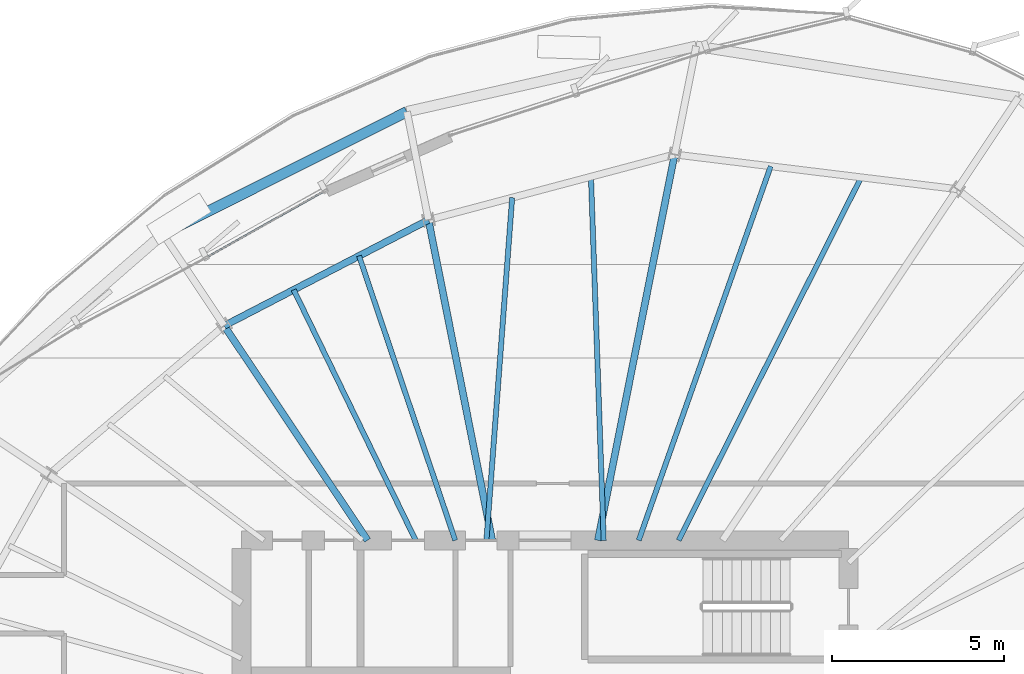
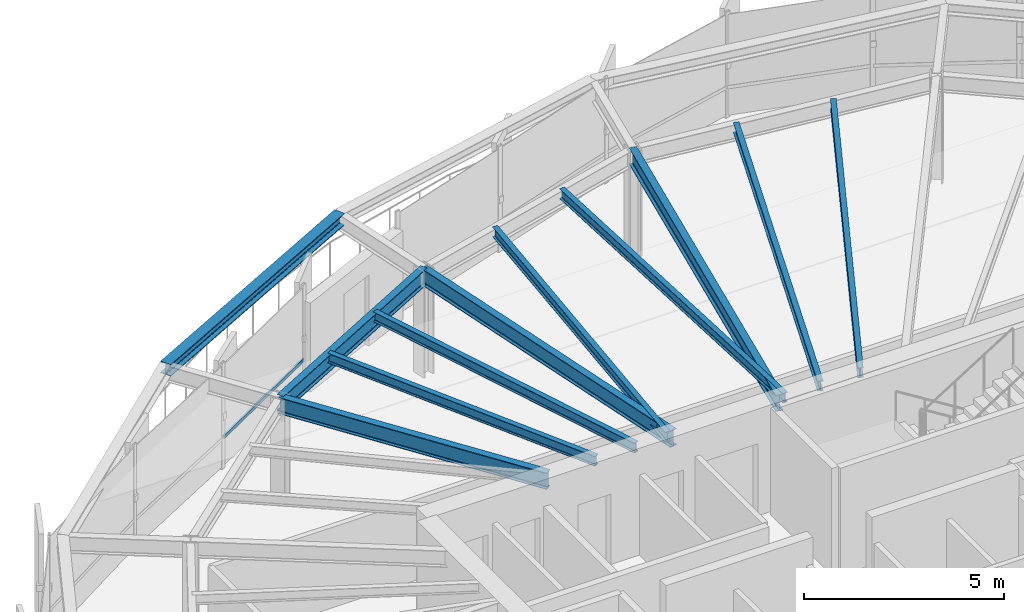
# One storey, part 20 of 33: 11 beams, 1 member, 1 element without a shape of its own.
"""IFC4 building model written with IfcOpenShell, lengths in metres."""

from ifc_helpers import new_model, si_unit, direction, frame, origin, origin_2d, place, context, subcontext, project, spatial, hollow_rectangle, i_section, extrude, source, transform, mapped, material, layer, layer_set, material_profile, profile_set, type_object, element, aggregate, save


model = new_model("IFC4")

# Units and contexts
model_context = context("Model", 3, precision=1e-05, world=origin(), true_north=direction((0.0, 1.0)))
body_context = subcontext(model_context, "Body", "Model", "MODEL_VIEW")
ifc_project = project(units=[si_unit("LENGTHUNIT", "METRE"), si_unit("AREAUNIT", "SQUARE_METRE"), si_unit("VOLUMEUNIT", "CUBIC_METRE"), si_unit("PLANEANGLEUNIT", "RADIAN"), si_unit("MASSUNIT", "GRAM", prefix="KILO"), si_unit("THERMODYNAMICTEMPERATUREUNIT", "KELVIN")], contexts=[model_context])

# Site, building, storey
site_placement = place(None, origin())
site = spatial("IfcSite", under=ifc_project, at=site_placement, CompositionType="ELEMENT")
building_placement = place(site_placement, origin())
building = spatial("IfcBuilding", under=site, at=building_placement, Name="Kethvar Cultural Tower", CompositionType="ELEMENT")
storey_placement = place(building_placement, frame((0.0, 0.0, 211.39990234375)))
storey = spatial("IfcBuildingStorey", under=building, at=storey_placement, Name="L55", CompositionType="ELEMENT", Elevation=211.39990234375)

# Beams
ifc_material_1 = material(Name="Steel S355J2", Category="steel")
ifc_material_profile_1 = material_profile(ifc_material_1, i_section(OverallWidth=0.199951171875, OverallDepth=0.5, WebThickness=0.01025390625, FlangeThickness=0.01611328125, FilletRadius=0.02099609375, at=origin_2d()), Name="Steel S355J2 — IPE500")
ifc_profile_set_1 = profile_set([ifc_material_profile_1], Name="Steel S355J2 — IPE500")
beam_type_1 = type_object("IfcBeamType", Name="BM-IPE500", PredefinedType="BEAM", material=ifc_profile_set_1)
shared_shape_1 = source(origin(), body_context, "Body", "SweptSolid", [
    extrude(i_section(OverallWidth=0.199951171875, OverallDepth=0.5, WebThickness=0.01025390625, FlangeThickness=0.01611328125, FilletRadius=0.02099609375, at=origin_2d()), origin(), (0.0, 0.0, 1.0), 11.40673828125),
])
beam_1_placement = place(storey_placement, frame((48.33154296875, 35.5, 3.008056640625), z_axis=(0.195091138918, 0.980785117911, 0.0), x_axis=(-0.980785117911, 0.195091138918, 0.0)))
element("IfcBeam", 1, at=beam_1_placement, inside=storey, type_object=beam_type_1, Name="L55 Primary Radial Beam RB-04", PredefinedType="BEAM", context=body_context, shape_type="MappedRepresentation", body=[
    mapped(shared_shape_1, transform((0.0, 0.0, 0.0), scale=1.0)),
])
shared_shape_2 = source(origin(), body_context, "Body", "SweptSolid", [
    extrude(i_section(OverallWidth=0.199951171875, OverallDepth=0.5, WebThickness=0.01025390625, FlangeThickness=0.01611328125, FilletRadius=0.02099609375, at=origin_2d()), origin(), (0.0, 0.0, 1.0), 9.47119140625),
])
beam_2_placement = place(storey_placement, frame((45.268310546875, 35.5, 3.008056640625), z_axis=(-0.195079990396, 0.980787335434, 0.0), x_axis=(-0.980787335434, -0.195079990396, 0.0)))
element("IfcBeam", 2, at=beam_2_placement, inside=storey, type_object=beam_type_1, Name="L55 Primary Radial Beam RB-05", PredefinedType="BEAM", context=body_context, shape_type="MappedRepresentation", body=[
    mapped(shared_shape_2, transform((0.0, 0.0, 0.0), scale=1.0)),
])
shared_shape_3 = source(origin(), body_context, "Body", "SweptSolid", [
    extrude(i_section(OverallWidth=0.199951171875, OverallDepth=0.5, WebThickness=0.01025390625, FlangeThickness=0.01611328125, FilletRadius=0.02099609375, at=origin_2d()), origin(), (0.0, 0.0, 1.0), 7.481201171875),
])
beam_3_placement = place(storey_placement, frame((41.655029296875, 35.5, 3.008056640625), z_axis=(-0.55555842186, 0.831477504146, 0.0), x_axis=(-0.831477504146, -0.55555842186, 0.0)))
element("IfcBeam", 3, at=beam_3_placement, inside=storey, type_object=beam_type_1, Name="L55 Primary Radial Beam RB-06", PredefinedType="BEAM", context=body_context, shape_type="MappedRepresentation", body=[
    mapped(shared_shape_3, transform((0.0, 0.0, 0.0), scale=1.0)),
])
ifc_material_profile_2 = material_profile(ifc_material_1, i_section(OverallWidth=0.14990234375, OverallDepth=0.300048828125, WebThickness=0.007080078125, FlangeThickness=0.0107421875, FilletRadius=0.014892578125, at=origin_2d()), Name="Steel S355J2 — IPE300")
ifc_profile_set_2 = profile_set([ifc_material_profile_2], Name="Steel S355J2 — IPE300")
beam_type_2 = type_object("IfcBeamType", Name="BM-J300", PredefinedType="JOIST", material=ifc_profile_set_2)
shared_shape_4 = source(origin(), body_context, "Body", "SweptSolid", [
    extrude(i_section(OverallWidth=0.14990234375, OverallDepth=0.300048828125, WebThickness=0.007080078125, FlangeThickness=0.0107421875, FilletRadius=0.014892578125, at=origin_2d()), origin(), (0.0, 0.0, 1.0), 11.77880859375),
])
beam_4_placement = place(storey_placement, frame((50.671630859375, 35.5, 3.108154296875), z_axis=(0.449218855458, 0.893421748057, 0.0), x_axis=(-0.893421748057, 0.449218855458, 0.0)))
element("IfcBeam", 4, at=beam_4_placement, inside=storey, type_object=beam_type_2, Name="L55 Composite Floor Joist J-03A", PredefinedType="JOIST", context=body_context, shape_type="MappedRepresentation", body=[
    mapped(shared_shape_4, transform((0.0, 0.0, 0.0), scale=1.0)),
])
shared_shape_5 = source(origin(), body_context, "Body", "SweptSolid", [
    extrude(i_section(OverallWidth=0.14990234375, OverallDepth=0.300048828125, WebThickness=0.007080078125, FlangeThickness=0.0107421875, FilletRadius=0.014892578125, at=origin_2d()), origin(), (0.0, 0.0, 1.0), 11.50048828125),
])
beam_5_placement = place(storey_placement, frame((49.51611328125, 35.5, 3.108154296875), z_axis=(0.332655768875, 0.943048322958, 0.0), x_axis=(-0.943048322958, 0.332655768875, 0.0)))
element("IfcBeam", 5, at=beam_5_placement, inside=storey, type_object=beam_type_2, Name="L55 Composite Floor Joist J-03B", PredefinedType="JOIST", context=body_context, shape_type="MappedRepresentation", body=[
    mapped(shared_shape_5, transform((0.0, 0.0, 0.0), scale=1.0)),
])
shared_shape_6 = source(origin(), body_context, "Body", "SweptSolid", [
    extrude(i_section(OverallWidth=0.14990234375, OverallDepth=0.300048828125, WebThickness=0.007080078125, FlangeThickness=0.0107421875, FilletRadius=0.014892578125, at=origin_2d()), origin(), (0.0, 0.0, 1.0), 10.54833984375),
])
beam_6_placement = place(storey_placement, frame((48.5, 35.5, 3.108154296875), z_axis=(-0.035017879941, 0.999386685965, 0.0), x_axis=(-0.999386685965, -0.035017879941, 0.0)))
element("IfcBeam", 6, at=beam_6_placement, inside=storey, type_object=beam_type_2, Name="L55 Composite Floor Joist J-04A", PredefinedType="JOIST", context=body_context, shape_type="MappedRepresentation", body=[
    mapped(shared_shape_6, transform((0.0, 0.0, 0.0), scale=1.0)),
])
shared_shape_7 = source(origin(), body_context, "Body", "SweptSolid", [
    extrude(i_section(OverallWidth=0.14990234375, OverallDepth=0.300048828125, WebThickness=0.007080078125, FlangeThickness=0.0107421875, FilletRadius=0.014892578125, at=origin_2d()), origin(), (0.0, 0.0, 1.0), 9.962646484375),
])
beam_7_placement = place(storey_placement, frame((45.10009765625, 35.5, 3.108154296875), z_axis=(0.074962964429, 0.99718631858, 0.0), x_axis=(-0.99718631858, 0.074962964429, 0.0)))
element("IfcBeam", 7, at=beam_7_placement, inside=storey, type_object=beam_type_2, Name="L55 Composite Floor Joist J-04B", PredefinedType="JOIST", context=body_context, shape_type="MappedRepresentation", body=[
    mapped(shared_shape_7, transform((0.0, 0.0, 0.0), scale=1.0)),
])
shared_shape_8 = source(origin(), body_context, "Body", "SweptSolid", [
    extrude(i_section(OverallWidth=0.199951171875, OverallDepth=0.5, WebThickness=0.01025390625, FlangeThickness=0.01611328125, FilletRadius=0.02099609375, at=origin_2d()), origin(), (0.0, 0.0, 1.0), 6.669921875),
])
beam_8_placement = place(storey_placement, frame((43.420654296875, 44.789306640625, 3.008056640625), z_axis=(-0.887861983948, -0.460109875421, 0.0), x_axis=(0.460109875421, -0.887861983948, 0.0)))
element("IfcBeam", 8, at=beam_8_placement, inside=storey, type_object=beam_type_1, Name="L55 Column Ring Tie Beam CR-05", PredefinedType="BEAM", context=body_context, shape_type="MappedRepresentation", body=[
    mapped(shared_shape_8, transform((0.0, 0.0, 0.0), scale=1.0)),
])
ifc_material_profile_3 = material_profile(ifc_material_1, i_section(OverallWidth=0.300048828125, OverallDepth=0.360107421875, WebThickness=0.012451171875, FlangeThickness=0.0224609375, FilletRadius=0.027099609375, at=origin_2d()), Name="Steel S355J2 — HEB360")
ifc_profile_set_3 = profile_set([ifc_material_profile_3], Name="Steel S355J2 — HEB360")
beam_type_3 = type_object("IfcBeamType", Name="BM-SP360", PredefinedType="SPANDREL", material=ifc_profile_set_3)
shared_shape_9 = source(origin(), body_context, "Body", "SweptSolid", [
    extrude(i_section(OverallWidth=0.300048828125, OverallDepth=0.360107421875, WebThickness=0.012451171875, FlangeThickness=0.0224609375, FilletRadius=0.027099609375, at=origin_2d()), origin(), (0.0, 0.0, 1.0), 7.91455078125),
])
beam_9_placement = place(storey_placement, frame((42.79638671875, 47.927734375, 3.078125), z_axis=(-0.893976371529, -0.44811410059, 0.0), x_axis=(0.44811410059, -0.893976371529, 0.0)))
element("IfcBeam", 9, at=beam_9_placement, inside=storey, type_object=beam_type_3, Name="L55 Perimeter Spandrel Beam SP-05", PredefinedType="SPANDREL", context=body_context, shape_type="MappedRepresentation", body=[
    mapped(shared_shape_9, transform((0.0, 0.0, 0.0), scale=1.0)),
])
shared_shape_10 = source(origin(), body_context, "Body", "SweptSolid", [
    extrude(i_section(OverallWidth=0.14990234375, OverallDepth=0.300048828125, WebThickness=0.007080078125, FlangeThickness=0.0107421875, FilletRadius=0.014892578125, at=origin_2d()), origin(), (0.0, 0.0, 1.0), 8.70458984375),
])
beam_10_placement = place(storey_placement, frame((44.19580078125, 35.5, 3.108154296875), z_axis=(-0.320356133074, 0.947297180404, 0.0), x_axis=(-0.947297180404, -0.320356133074, 0.0)))
element("IfcBeam", 10, at=beam_10_placement, inside=storey, type_object=beam_type_2, Name="L55 Composite Floor Joist J-05A", PredefinedType="JOIST", context=body_context, shape_type="MappedRepresentation", body=[
    mapped(shared_shape_10, transform((0.0, 0.0, 0.0), scale=1.0)),
])
shared_shape_11 = source(origin(), body_context, "Body", "SweptSolid", [
    extrude(i_section(OverallWidth=0.14990234375, OverallDepth=0.300048828125, WebThickness=0.007080078125, FlangeThickness=0.0107421875, FilletRadius=0.014892578125, at=origin_2d()), origin(), (0.0, 0.0, 1.0), 8.07958984375),
])
beam_11_placement = place(storey_placement, frame((43.0498046875, 35.5, 3.108154296875), z_axis=(-0.437846062021, 0.89904995744, 0.0), x_axis=(-0.89904995744, -0.437846062021, 0.0)))
element("IfcBeam", 11, at=beam_11_placement, inside=storey, type_object=beam_type_2, Name="L55 Composite Floor Joist J-05B", PredefinedType="JOIST", context=body_context, shape_type="MappedRepresentation", body=[
    mapped(shared_shape_11, transform((0.0, 0.0, 0.0), scale=1.0)),
])

# Curtain wall, member
ifc_material_2 = material(Name="Aluminium 6063-T6", Category="aluminium")
ifc_layer = layer(ifc_material_2, 0.179931640625, Name="Aluminium 6063-T6", Category="aluminium")
ifc_layer_set = layer_set([ifc_layer], Name="Aluminium 6063-T6 (180 mm)")
curtain_wall_type = type_object("IfcCurtainWallType", Name="CW-SYS-04-Z34", PredefinedType="NOTDEFINED", material=ifc_layer_set)
curtain_wall_placement = place(storey_placement, origin())
curtain_wall = element("IfcCurtainWall", 12, at=curtain_wall_placement, inside=storey, type_object=curtain_wall_type, Name="L55 Curtain Wall Run 02", PredefinedType="NOTDEFINED")
ifc_material_profile_4 = material_profile(ifc_material_2, hollow_rectangle(XDim=0.050048828125, YDim=0.10009765625, WallThickness=0.00390625, at=origin_2d()), Name="Aluminium 6063-T6 — RHS100x50x4")
ifc_profile_set_4 = profile_set([ifc_material_profile_4], Name="Aluminium 6063-T6 — RHS100x50x4")
member_type = type_object("IfcMemberType", Name="CW-SYS-04-Z34-TRN", PredefinedType="USERDEFINED", material=ifc_profile_set_4)
shared_shape_12 = source(origin(), body_context, "Body", "SweptSolid", [
    extrude(hollow_rectangle(XDim=0.050048828125, YDim=0.10009765625, WallThickness=0.00390625, at=origin_2d()), origin(), (0.0, 0.0, 1.0), 3.912353515625),
])
member_placement = place(storey_placement, frame((40.423583984375, 45.636962890625, 0.9501953125), z_axis=(-0.871587202781, -0.490240500111, 0.0), x_axis=(0.490240500111, -0.871587202781, 0.0)))
member = element("IfcMember", 13, at=member_placement, type_object=member_type, Name="CW-L55-R02 Transom 1", ObjectType="TRANSOM", PredefinedType="USERDEFINED", context=body_context, shape_type="MappedRepresentation", body=[
    mapped(shared_shape_12, transform((0.0, 0.0, 0.0), scale=1.0)),
])
aggregate(curtain_wall, [member])

save(model, "model.ifc")
